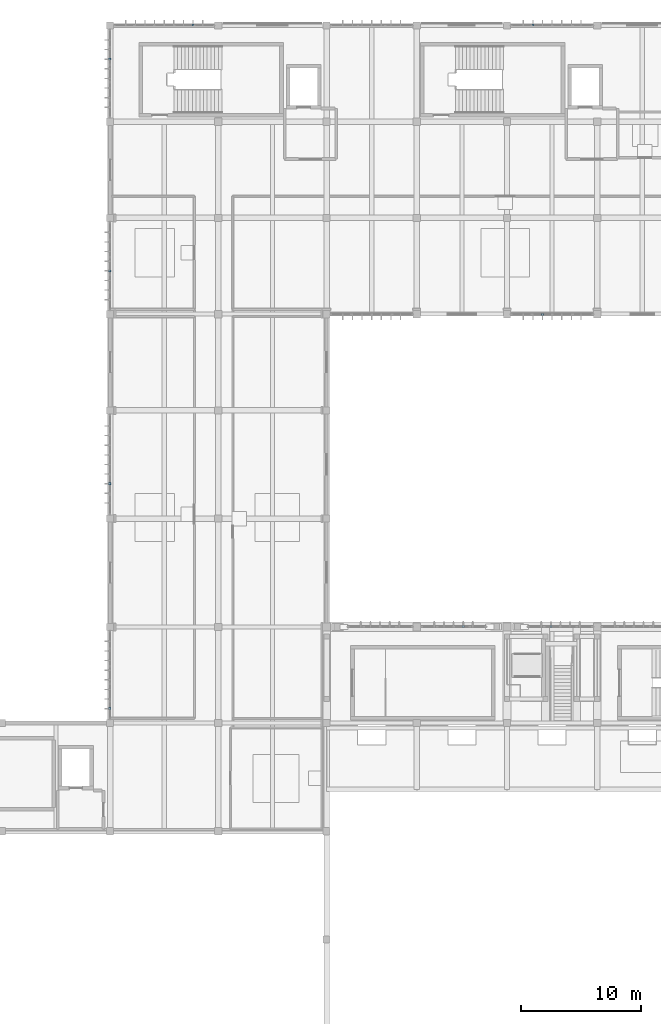
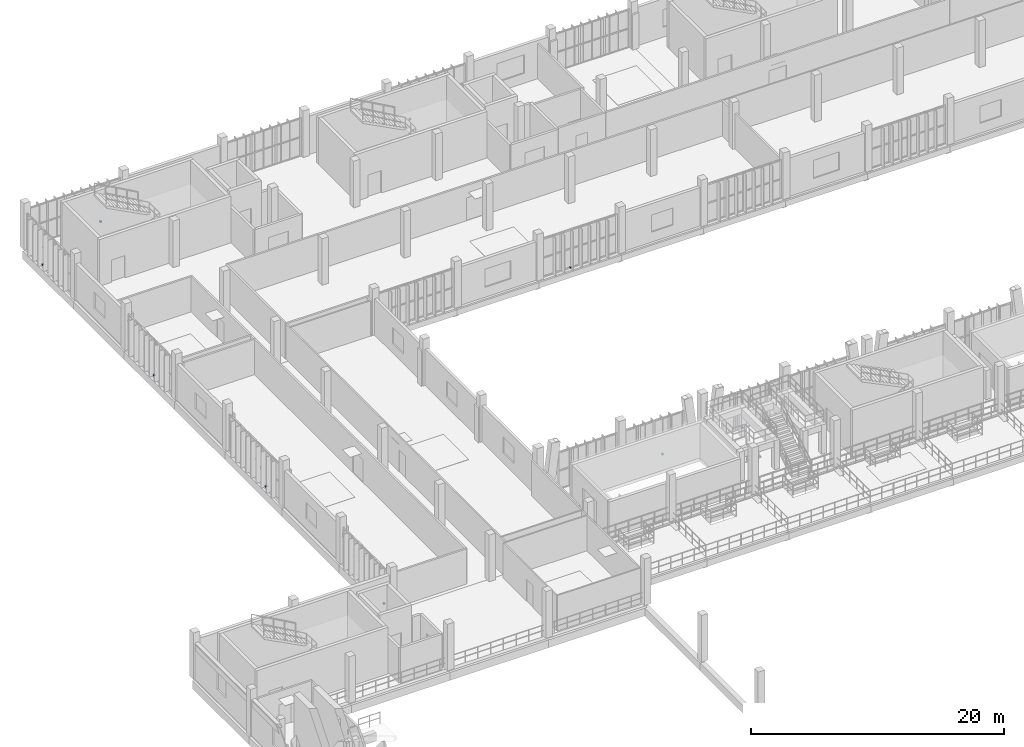
# One storey, part 61 of 81: 9 discrete accessories.
"""IFC4 building model written with IfcOpenShell, lengths in metres."""

from ifc_helpers import new_model, si_unit, direction, frame, origin, origin_2d, place, context, subcontext, project, spatial, rectangle, extrude, material, type_object, element, save


model = new_model("IFC4")

# Units and contexts
model_context = context("Model", 3, precision=1e-05, world=origin(), true_north=direction((0.0, 1.0)))
body_context = subcontext(model_context, "Body", "Model", "MODEL_VIEW")
ifc_project = project(units=[si_unit("LENGTHUNIT", "METRE"), si_unit("AREAUNIT", "SQUARE_METRE"), si_unit("VOLUMEUNIT", "CUBIC_METRE"), si_unit("PLANEANGLEUNIT", "RADIAN"), si_unit("MASSUNIT", "GRAM", prefix="KILO")], contexts=[model_context])

# Site, building, storey
site_placement = place(None, origin())
site = spatial("IfcSite", under=ifc_project, at=site_placement, CompositionType="ELEMENT")
building_placement = place(site_placement, origin())
building = spatial("IfcBuilding", under=site, at=building_placement, Name="Vourika Railside Aquatics Centre", CompositionType="ELEMENT")
storey_placement = place(building_placement, frame((0.0, 0.0, 4.800048828125)))
storey = spatial("IfcBuildingStorey", under=building, at=storey_placement, Name="L01", CompositionType="ELEMENT", Elevation=4.800048828125)

# Discrete accessories
ifc_material = material(Name="Duplex stainless steel EN 1.4462", Category="steel")
discrete_accessory_type = type_object("IfcDiscreteAccessoryType", Name="ACC-BRK-180", PredefinedType="BRACKET", material=ifc_material)
for number, where, z_axis, x_axis, name in (
    (1, (47.35498046875, 66.030029296875, 0.0), (0.0, 0.0, 1.0), (0.0, 1.0, 0.0), "Stainless Fin Shoe Bracket BK-020"),
    (2, (54.64501953125, 66.030029296875, 0.0), (0.0, 0.0, 1.0), (0.0, 1.0, 0.0), "Stainless Fin Shoe Bracket BK-021"),
    (3, (24.89990234375, 116.030029296875, 0.0), (0.0, 0.0, 1.0), (0.0, 1.0, 0.0), "Stainless Fin Shoe Bracket BK-074"),
    (4, (53.14990234375, 116.030029296875, 0.0), (0.0, 0.0, 1.0), (0.0, 1.0, 0.0), "Stainless Fin Shoe Bracket BK-075"),
    (5, (53.949951171875, 91.969970703125, 0.0), (0.0, 0.0, 1.0), (0.0, -1.0, 0.0), "Stainless Fin Shoe Bracket BK-080"),
    (6, (17.969970703125, 59.199951171875, 0.0), (0.0, 0.0, 1.0), (-1.0, 0.0, 0.0), "Stainless Fin Shoe Bracket BK-084"),
    (7, (17.969970703125, 77.89990234375, 0.0), (0.0, 0.0, 1.0), (-1.0, 0.0, 0.0), "Stainless Fin Shoe Bracket BK-085"),
    (8, (17.969970703125, 95.60009765625, 0.0), (0.0, 0.0, 1.0), (-1.0, 0.0, 0.0), "Stainless Fin Shoe Bracket BK-086"),
    (9, (17.969970703125, 113.199951171875, 0.0), (0.0, 0.0, 1.0), (-1.0, 0.0, 0.0), "Stainless Fin Shoe Bracket BK-087"),
):
    element("IfcDiscreteAccessory", number, at=place(storey_placement, frame(where, z_axis=z_axis, x_axis=x_axis)), inside=storey, type_object=discrete_accessory_type, Name=name, PredefinedType="BRACKET", context=body_context, shape_type="SweptSolid", body=[
        extrude(rectangle(XDim=0.179931640625, YDim=0.179931640625, at=origin_2d()), origin(), (0.0, 0.0, 1.0), 0.1201171875),
    ])

save(model, "model.ifc")
